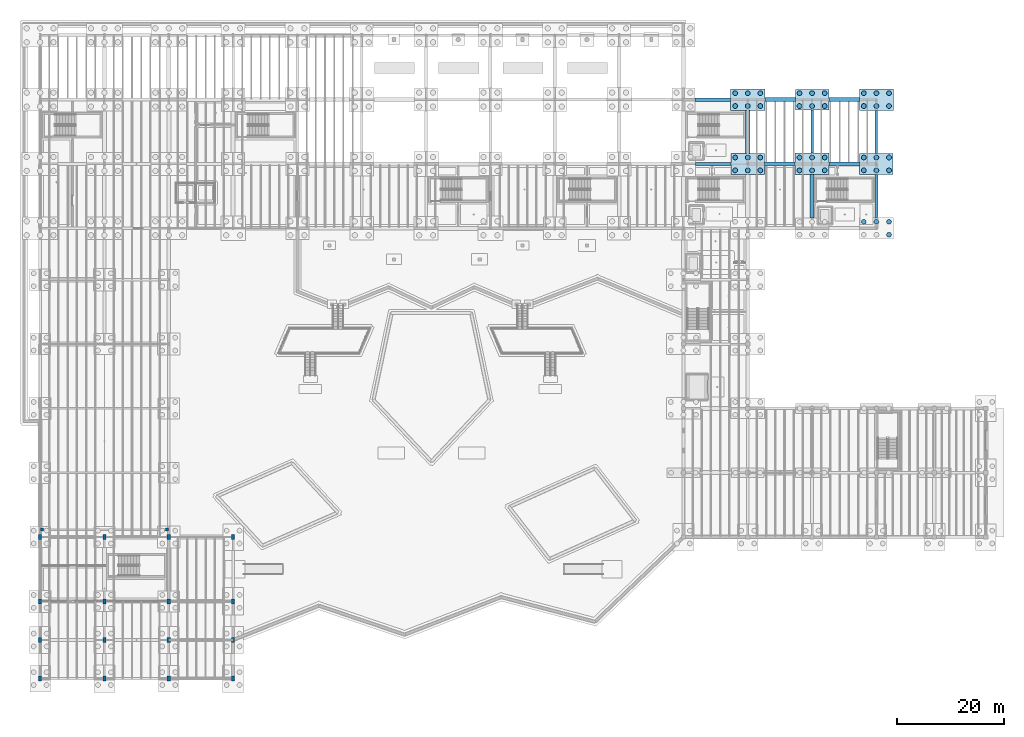
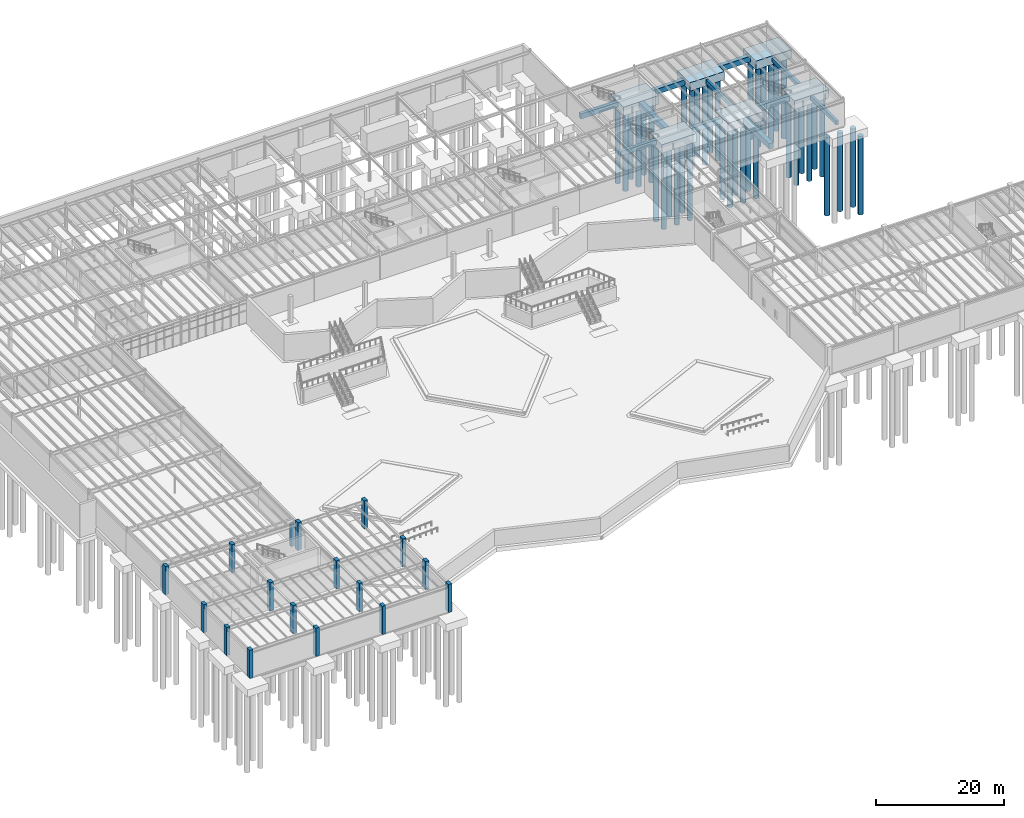
# One storey, part 9 of 67: 40 piles, 18 columns, 17 footings.
"""IFC4 building model written with IfcOpenShell, lengths in metres."""

from ifc_helpers import new_model, si_unit, direction, frame, origin, origin_2d, place, context, subcontext, project, spatial, polyline, rectangle, circle, outline, extrude, material, material_profile, profile_set, type_object, element, save


model = new_model("IFC4")

# Units and contexts
model_context = context("Model", 3, precision=1e-05, world=origin(), true_north=direction((0.0, 1.0)))
body_context = subcontext(model_context, "Body", "Model", "MODEL_VIEW")
ifc_project = project(units=[si_unit("LENGTHUNIT", "METRE"), si_unit("AREAUNIT", "SQUARE_METRE"), si_unit("VOLUMEUNIT", "CUBIC_METRE"), si_unit("PLANEANGLEUNIT", "RADIAN"), si_unit("MASSUNIT", "GRAM", prefix="KILO")], contexts=[model_context])

# Site, building, storey
site_placement = place(None, origin())
site = spatial("IfcSite", under=ifc_project, at=site_placement, CompositionType="ELEMENT")
building_placement = place(site_placement, origin())
building = spatial("IfcBuilding", under=site, at=building_placement, Name="Zlatogorsky Bluff Art Gallery", CompositionType="ELEMENT")
storey_placement = place(building_placement, frame((0.0, 0.0, -5.39990234375)))
storey = spatial("IfcBuildingStorey", under=building, at=storey_placement, Name="B1", CompositionType="ELEMENT", Elevation=-5.39990234375)

# Piles
ifc_material = material(Name="Concrete C35/45", Category="concrete")
ifc_material_profile_1 = material_profile(ifc_material, circle(Radius=0.449951171875, at=origin_2d()), Name="BORED PILE D900")
ifc_profile_set_1 = profile_set([ifc_material_profile_1], Name="Concrete C35/45")
pile_type = type_object("IfcPileType", Name="Bored Pile D900 C35/45", PredefinedType="BORED", material=ifc_profile_set_1)
for number, where, z_axis, x_axis, name in (
    (1, (129.64990234375, 94.800048828125, -1.900146484375), (0.0, 0.0, -1.0), (1.0, 0.0, 0.0), "Bored pile PL-01 11.09.1"),
    (2, (132.0, 94.800048828125, -1.900146484375), (0.0, 0.0, -1.0), (1.0, 0.0, 0.0), "Bored pile PL-01 11.09.2"),
    (3, (134.35009765625, 94.800048828125, -1.900146484375), (0.0, 0.0, -1.0), (1.0, 0.0, 0.0), "Bored pile PL-01 11.09.3"),
    (4, (129.64990234375, 97.199951171875, -1.900146484375), (0.0, 0.0, -1.0), (1.0, 0.0, 0.0), "Bored pile PL-01 11.09.4"),
    (5, (132.0, 97.199951171875, -1.900146484375), (0.0, 0.0, -1.0), (1.0, 0.0, 0.0), "Bored pile PL-01 11.09.5"),
    (6, (134.35009765625, 97.199951171875, -1.900146484375), (0.0, 0.0, -1.0), (1.0, 0.0, 0.0), "Bored pile PL-01 11.09.6"),
):
    element("IfcPile", number, at=place(storey_placement, frame(where, z_axis=z_axis, x_axis=x_axis)), inside=storey, type_object=pile_type, Name=name, PredefinedType="BORED", context=body_context, shape_type="SweptSolid", body=[
        extrude(circle(Radius=0.449951171875, at=origin_2d()), origin(), (0.0, 0.0, 1.0), 15.10009765625),
    ])
for number, where, z_axis, x_axis, name in (
    (7, (129.64990234375, 106.800048828125, -1.9501953125), (0.0, 0.0, -1.0), (1.0, 0.0, 0.0), "Bored pile PL-01 11.10.1"),
    (8, (132.0, 106.800048828125, -1.9501953125), (0.0, 0.0, -1.0), (1.0, 0.0, 0.0), "Bored pile PL-01 11.10.2"),
    (9, (134.35009765625, 106.800048828125, -1.9501953125), (0.0, 0.0, -1.0), (1.0, 0.0, 0.0), "Bored pile PL-01 11.10.3"),
    (10, (129.64990234375, 109.199951171875, -1.9501953125), (0.0, 0.0, -1.0), (1.0, 0.0, 0.0), "Bored pile PL-01 11.10.4"),
    (11, (132.0, 109.199951171875, -1.9501953125), (0.0, 0.0, -1.0), (1.0, 0.0, 0.0), "Bored pile PL-01 11.10.5"),
    (12, (134.35009765625, 109.199951171875, -1.9501953125), (0.0, 0.0, -1.0), (1.0, 0.0, 0.0), "Bored pile PL-01 11.10.6"),
    (13, (141.64990234375, 94.800048828125, -1.9501953125), (0.0, 0.0, -1.0), (1.0, 0.0, 0.0), "Bored pile PL-01 12.09.1"),
    (14, (144.0, 94.800048828125, -1.9501953125), (0.0, 0.0, -1.0), (1.0, 0.0, 0.0), "Bored pile PL-01 12.09.2"),
    (15, (146.35009765625, 94.800048828125, -1.9501953125), (0.0, 0.0, -1.0), (1.0, 0.0, 0.0), "Bored pile PL-01 12.09.3"),
    (16, (141.64990234375, 97.199951171875, -1.9501953125), (0.0, 0.0, -1.0), (1.0, 0.0, 0.0), "Bored pile PL-01 12.09.4"),
    (17, (144.0, 97.199951171875, -1.9501953125), (0.0, 0.0, -1.0), (1.0, 0.0, 0.0), "Bored pile PL-01 12.09.5"),
    (18, (146.35009765625, 97.199951171875, -1.9501953125), (0.0, 0.0, -1.0), (1.0, 0.0, 0.0), "Bored pile PL-01 12.09.6"),
):
    element("IfcPile", number, at=place(storey_placement, frame(where, z_axis=z_axis, x_axis=x_axis)), inside=storey, type_object=pile_type, Name=name, PredefinedType="BORED", context=body_context, shape_type="SweptSolid", body=[
        extrude(circle(Radius=0.449951171875, at=origin_2d()), origin(), (0.0, 0.0, 1.0), 15.050048828125),
    ])
for number, where, z_axis, x_axis, name in (
    (19, (141.64990234375, 106.800048828125, -1.5), (0.0, 0.0, -1.0), (1.0, 0.0, 0.0), "Bored pile PL-01 12.10.1"),
    (20, (144.0, 106.800048828125, -1.5), (0.0, 0.0, -1.0), (1.0, 0.0, 0.0), "Bored pile PL-01 12.10.2"),
    (21, (146.35009765625, 106.800048828125, -1.5), (0.0, 0.0, -1.0), (1.0, 0.0, 0.0), "Bored pile PL-01 12.10.3"),
    (22, (141.64990234375, 109.199951171875, -1.5), (0.0, 0.0, -1.0), (1.0, 0.0, 0.0), "Bored pile PL-01 12.10.4"),
    (23, (144.0, 109.199951171875, -1.5), (0.0, 0.0, -1.0), (1.0, 0.0, 0.0), "Bored pile PL-01 12.10.5"),
    (24, (146.35009765625, 109.199951171875, -1.5), (0.0, 0.0, -1.0), (1.0, 0.0, 0.0), "Bored pile PL-01 12.10.6"),
):
    element("IfcPile", number, at=place(storey_placement, frame(where, z_axis=z_axis, x_axis=x_axis)), inside=storey, type_object=pile_type, Name=name, PredefinedType="BORED", context=body_context, shape_type="SweptSolid", body=[
        extrude(circle(Radius=0.449951171875, at=origin_2d()), origin(), (0.0, 0.0, 1.0), 15.5),
    ])
for number, where, z_axis, x_axis, name in (
    (25, (158.35009765625, 82.800048828125, -1.9501953125), (0.0, 0.0, -1.0), (1.0, 0.0, 0.0), "Bored pile PL-01 13.08.3"),
    (26, (153.64990234375, 85.199951171875, -1.9501953125), (0.0, 0.0, -1.0), (1.0, 0.0, 0.0), "Bored pile PL-01 13.08.4"),
    (27, (156.0, 85.199951171875, -1.9501953125), (0.0, 0.0, -1.0), (1.0, 0.0, 0.0), "Bored pile PL-01 13.08.5"),
    (28, (158.35009765625, 85.199951171875, -1.9501953125), (0.0, 0.0, -1.0), (1.0, 0.0, 0.0), "Bored pile PL-01 13.08.6"),
):
    element("IfcPile", number, at=place(storey_placement, frame(where, z_axis=z_axis, x_axis=x_axis)), inside=storey, type_object=pile_type, Name=name, PredefinedType="BORED", context=body_context, shape_type="SweptSolid", body=[
        extrude(circle(Radius=0.449951171875, at=origin_2d()), origin(), (0.0, 0.0, 1.0), 15.050048828125),
    ])
for number, where, z_axis, x_axis, name in (
    (29, (153.64990234375, 94.800048828125, -1.900146484375), (0.0, 0.0, -1.0), (1.0, 0.0, 0.0), "Bored pile PL-01 13.09.1"),
    (30, (156.0, 94.800048828125, -1.900146484375), (0.0, 0.0, -1.0), (1.0, 0.0, 0.0), "Bored pile PL-01 13.09.2"),
    (31, (158.35009765625, 94.800048828125, -1.900146484375), (0.0, 0.0, -1.0), (1.0, 0.0, 0.0), "Bored pile PL-01 13.09.3"),
    (32, (153.64990234375, 97.199951171875, -1.900146484375), (0.0, 0.0, -1.0), (1.0, 0.0, 0.0), "Bored pile PL-01 13.09.4"),
    (33, (156.0, 97.199951171875, -1.900146484375), (0.0, 0.0, -1.0), (1.0, 0.0, 0.0), "Bored pile PL-01 13.09.5"),
    (34, (158.35009765625, 97.199951171875, -1.900146484375), (0.0, 0.0, -1.0), (1.0, 0.0, 0.0), "Bored pile PL-01 13.09.6"),
):
    element("IfcPile", number, at=place(storey_placement, frame(where, z_axis=z_axis, x_axis=x_axis)), inside=storey, type_object=pile_type, Name=name, PredefinedType="BORED", context=body_context, shape_type="SweptSolid", body=[
        extrude(circle(Radius=0.449951171875, at=origin_2d()), origin(), (0.0, 0.0, 1.0), 15.10009765625),
    ])
for number, where, z_axis, x_axis, name in (
    (35, (153.64990234375, 106.800048828125, -1.550048828125), (0.0, 0.0, -1.0), (1.0, 0.0, 0.0), "Bored pile PL-01 13.10.1"),
    (36, (156.0, 106.800048828125, -1.550048828125), (0.0, 0.0, -1.0), (1.0, 0.0, 0.0), "Bored pile PL-01 13.10.2"),
    (37, (158.35009765625, 106.800048828125, -1.550048828125), (0.0, 0.0, -1.0), (1.0, 0.0, 0.0), "Bored pile PL-01 13.10.3"),
    (38, (153.64990234375, 109.199951171875, -1.550048828125), (0.0, 0.0, -1.0), (1.0, 0.0, 0.0), "Bored pile PL-01 13.10.4"),
    (39, (156.0, 109.199951171875, -1.550048828125), (0.0, 0.0, -1.0), (1.0, 0.0, 0.0), "Bored pile PL-01 13.10.5"),
    (40, (158.35009765625, 109.199951171875, -1.550048828125), (0.0, 0.0, -1.0), (1.0, 0.0, 0.0), "Bored pile PL-01 13.10.6"),
):
    element("IfcPile", number, at=place(storey_placement, frame(where, z_axis=z_axis, x_axis=x_axis)), inside=storey, type_object=pile_type, Name=name, PredefinedType="BORED", context=body_context, shape_type="SweptSolid", body=[
        extrude(circle(Radius=0.449951171875, at=origin_2d()), origin(), (0.0, 0.0, 1.0), 15.449951171875),
    ])

# Footings
footing_type_1 = type_object("IfcFootingType", Name="Foundation FB-01 450x750", PredefinedType="FOOTING_BEAM", material=ifc_material)
footing_1_placement = place(storey_placement, frame((0.0, 0.0, -1.150146484375)))
element("IfcFooting", 41, at=footing_1_placement, inside=storey, type_object=footing_type_1, Name="Ground tie beam FB-01 N/10-11", PredefinedType="FOOTING_BEAM", context=body_context, shape_type="SweptSolid", body=[
    extrude(outline(polyline([(143.77490234375, 98.0), (144.22509765625, 98.0), (144.22509765625, 106.074951171875), (143.77490234375, 106.074951171875), (143.77490234375, 98.0)])), origin(), (0.0, 0.0, 1.0), 0.75),
])
footing_2_placement = place(storey_placement, frame((0.0, 0.0, -1.150146484375)))
element("IfcFooting", 42, at=footing_2_placement, inside=storey, type_object=footing_type_1, Name="Ground tie beam FB-01 P/9-10", PredefinedType="FOOTING_BEAM", context=body_context, shape_type="SweptSolid", body=[
    extrude(outline(polyline([(155.77490234375, 86.0), (156.22509765625, 86.0), (156.22509765625, 94.074951171875), (155.77490234375, 94.074951171875), (155.77490234375, 86.0)])), origin(), (0.0, 0.0, 1.0), 0.75),
])
footing_type_2 = type_object("IfcFootingType", Name="Foundation FB-02 500x800", PredefinedType="FOOTING_BEAM", material=ifc_material)
footing_3_placement = place(storey_placement, frame((0.0, 0.0, -1.2001953125)))
element("IfcFooting", 43, at=footing_3_placement, inside=storey, type_object=footing_type_2, Name="Ground tie beam FB-02 P/10-11", PredefinedType="FOOTING_BEAM", context=body_context, shape_type="SweptSolid", body=[
    extrude(outline(polyline([(155.75, 97.925048828125), (156.25, 97.925048828125), (156.25, 106.0), (155.75, 106.0), (155.75, 97.925048828125)])), origin(), (0.0, 0.0, 1.0), 0.800048828125),
])
footing_type_3 = type_object("IfcFootingType", Name="Foundation FB-04 600x900", PredefinedType="FOOTING_BEAM", material=ifc_material)
footing_4_placement = place(storey_placement, frame((0.0, 0.0, -1.300048828125)))
element("IfcFooting", 44, at=footing_4_placement, inside=storey, type_object=footing_type_3, Name="Ground tie beam FB-04 L-M/10", PredefinedType="FOOTING_BEAM", context=body_context, shape_type="SweptSolid", body=[
    extrude(outline(polyline([(122.300048828125, 95.699951171875), (128.875, 95.699951171875), (128.875, 96.300048828125), (122.300048828125, 96.300048828125), (122.300048828125, 95.699951171875)])), origin(), (0.0, 0.0, 1.0), 0.89990234375),
])
footing_type_4 = type_object("IfcFootingType", Name="Foundation FB-05 650x950", PredefinedType="FOOTING_BEAM", material=ifc_material)
footing_5_placement = place(storey_placement, frame((0.0, 0.0, -1.35009765625)))
element("IfcFooting", 45, at=footing_5_placement, inside=storey, type_object=footing_type_4, Name="Ground tie beam FB-05 L-M/11", PredefinedType="FOOTING_BEAM", context=body_context, shape_type="SweptSolid", body=[
    extrude(outline(polyline([(122.125, 107.675048828125), (128.800048828125, 107.675048828125), (128.800048828125, 108.324951171875), (122.125, 108.324951171875), (122.125, 107.675048828125)])), origin(), (0.0, 0.0, 1.0), 0.949951171875),
])
footing_6_placement = place(storey_placement, frame((0.0, 0.0, -1.35009765625)))
element("IfcFooting", 46, at=footing_6_placement, inside=storey, type_object=footing_type_4, Name="Ground tie beam FB-05 M-N/10", PredefinedType="FOOTING_BEAM", context=body_context, shape_type="SweptSolid", body=[
    extrude(outline(polyline([(135.125, 95.675048828125), (140.800048828125, 95.675048828125), (140.800048828125, 96.324951171875), (135.125, 96.324951171875), (135.125, 95.675048828125)])), origin(), (0.0, 0.0, 1.0), 0.949951171875),
])
footing_type_5 = type_object("IfcFootingType", Name="Foundation FB-06 700x1000", PredefinedType="FOOTING_BEAM", material=ifc_material)
footing_7_placement = place(storey_placement, frame((0.0, 0.0, -1.400146484375)))
element("IfcFooting", 47, at=footing_7_placement, inside=storey, type_object=footing_type_5, Name="Ground tie beam FB-06 M-N/11", PredefinedType="FOOTING_BEAM", context=body_context, shape_type="SweptSolid", body=[
    extrude(outline(polyline([(135.199951171875, 107.64990234375), (140.875, 107.64990234375), (140.875, 108.35009765625), (135.199951171875, 108.35009765625), (135.199951171875, 107.64990234375)])), origin(), (0.0, 0.0, 1.0), 1.0),
])
footing_8_placement = place(storey_placement, frame((0.0, 0.0, -1.400146484375)))
element("IfcFooting", 48, at=footing_8_placement, inside=storey, type_object=footing_type_5, Name="Ground tie beam FB-06 N-P/10", PredefinedType="FOOTING_BEAM", context=body_context, shape_type="SweptSolid", body=[
    extrude(outline(polyline([(147.199951171875, 95.64990234375), (152.875, 95.64990234375), (152.875, 96.35009765625), (147.199951171875, 96.35009765625), (147.199951171875, 95.64990234375)])), origin(), (0.0, 0.0, 1.0), 1.0),
])
footing_type_6 = type_object("IfcFootingType", Name="Foundation FB-07 750x1050", PredefinedType="FOOTING_BEAM", material=ifc_material)
footing_9_placement = place(storey_placement, frame((0.0, 0.0, -1.050048828125)))
element("IfcFooting", 49, at=footing_9_placement, inside=storey, type_object=footing_type_6, Name="Ground tie beam FB-07 N-P/11", PredefinedType="FOOTING_BEAM", context=body_context, shape_type="SweptSolid", body=[
    extrude(outline(polyline([(147.125, 107.625), (152.800048828125, 107.625), (152.800048828125, 108.375), (147.125, 108.375), (147.125, 107.625)])), origin(), (0.0, 0.0, 1.0), 1.050048828125),
])
footing_type_7 = type_object("IfcFootingType", Name="Foundation FB-08 800x1100", PredefinedType="FOOTING_BEAM", material=ifc_material)
footing_10_placement = place(storey_placement, frame((0.0, 0.0, -1.5)))
element("IfcFooting", 50, at=footing_10_placement, inside=storey, type_object=footing_type_7, Name="Ground tie beam FB-08 M/10-11", PredefinedType="FOOTING_BEAM", context=body_context, shape_type="SweptSolid", body=[
    extrude(outline(polyline([(131.60009765625, 97.925048828125), (132.39990234375, 97.925048828125), (132.39990234375, 106.0), (131.60009765625, 106.0), (131.60009765625, 97.925048828125)])), origin(), (0.0, 0.0, 1.0), 1.099853515625),
])
footing_11_placement = place(storey_placement, frame((0.0, 0.0, -1.5)))
element("IfcFooting", 51, at=footing_11_placement, inside=storey, type_object=footing_type_7, Name="Ground tie beam FB-08 N/9-10", PredefinedType="FOOTING_BEAM", context=body_context, shape_type="SweptSolid", body=[
    extrude(outline(polyline([(143.60009765625, 85.925048828125), (144.39990234375, 85.925048828125), (144.39990234375, 94.0), (143.60009765625, 94.0), (143.60009765625, 85.925048828125)])), origin(), (0.0, 0.0, 1.0), 1.099853515625),
])
footing_type_8 = type_object("IfcFootingType", Name="Pile Cap PC-14 6250x3850x1600", PredefinedType="PILE_CAP", material=ifc_material)
for number, where, z_axis, x_axis, name in (
    (52, (132.0, 96.0, -2.000244140625), (0.0, 0.0, 1.0), (1.0, 0.0, 0.0), "Pile cap PC-14 at M10"),
    (53, (144.0, 108.0, -1.60009765625), (0.0, 0.0, 1.0), (1.0, 0.0, 0.0), "Pile cap PC-14 at N11"),
    (54, (156.0, 96.0, -2.000244140625), (0.0, 0.0, 1.0), (1.0, 0.0, 0.0), "Pile cap PC-14 at P10"),
):
    element("IfcFooting", number, at=place(storey_placement, frame(where, z_axis=z_axis, x_axis=x_axis)), inside=storey, type_object=footing_type_8, Name=name, PredefinedType="PILE_CAP", context=body_context, shape_type="SweptSolid", body=[
        extrude(rectangle(XDim=6.25, YDim=3.85009765625, at=origin_2d()), origin(), (0.0, 0.0, 1.0), 1.60009765625),
    ])
footing_type_9 = type_object("IfcFootingType", Name="Pile Cap PC-15 6400x4000x1650", PredefinedType="PILE_CAP", material=ifc_material)
for number, where, z_axis, x_axis, name in (
    (55, (132.0, 108.0, -2.050048828125), (0.0, 0.0, 1.0), (1.0, 0.0, 0.0), "Pile cap PC-15 at M11"),
    (56, (144.0, 96.0, -2.050048828125), (0.0, 0.0, 1.0), (1.0, 0.0, 0.0), "Pile cap PC-15 at N10"),
    (57, (156.0, 108.0, -1.650146484375), (0.0, 0.0, 1.0), (1.0, 0.0, 0.0), "Pile cap PC-15 at P11"),
):
    element("IfcFooting", number, at=place(storey_placement, frame(where, z_axis=z_axis, x_axis=x_axis)), inside=storey, type_object=footing_type_9, Name=name, PredefinedType="PILE_CAP", context=body_context, shape_type="SweptSolid", body=[
        extrude(rectangle(XDim=6.39990234375, YDim=4.0, at=origin_2d()), origin(), (0.0, 0.0, 1.0), 1.64990234375),
    ])

# Columns
ifc_material_profile_2 = material_profile(ifc_material, rectangle(XDim=0.60009765625, YDim=0.60009765625, at=origin_2d()), Name="RC 600x600")
ifc_profile_set_2 = profile_set([ifc_material_profile_2], Name="Concrete C35/45")
column_type_1 = type_object("IfcColumnType", Name="Column CL-15 RC 600x600", PredefinedType="COLUMN", material=ifc_profile_set_2)
for number, where, z_axis, x_axis, name in (
    (58, (0.35009765625, 27.800048828125, 0.0), (0.0, 0.0, 1.0), (1.0, 0.0, 0.0), "Auditorium stage raker pier W"),
    (59, (23.64990234375, 27.800048828125, 0.0), (0.0, 0.0, 1.0), (1.0, 0.0, 0.0), "Auditorium stage raker pier E"),
):
    element("IfcColumn", number, at=place(storey_placement, frame(where, z_axis=z_axis, x_axis=x_axis)), inside=storey, type_object=column_type_1, Name=name, PredefinedType="COLUMN", context=body_context, shape_type="SweptSolid", body=[
        extrude(rectangle(XDim=0.60009765625, YDim=0.60009765625, at=origin_2d()), origin(), (0.0, 0.0, 1.0), 4.219970703125),
    ])
ifc_material_profile_3 = material_profile(ifc_material, rectangle(XDim=0.60009765625, YDim=0.89990234375, at=origin_2d()), Name="RC 600x900")
ifc_profile_set_3 = profile_set([ifc_material_profile_3], Name="Concrete C35/45")
column_type_2 = type_object("IfcColumnType", Name="Column CL-17 RC 600x900", PredefinedType="COLUMN", material=ifc_profile_set_3)
for number, where, z_axis, x_axis, name in (
    (60, (0.0, 0.0, 0.0), (0.0, 0.0, 1.0), (1.0, 0.0, 0.0), "Column CL-17 B1 A1"),
    (61, (0.0, 7.199951171875, 0.0), (0.0, 0.0, 1.0), (1.0, 0.0, 0.0), "Column CL-17 B1 A2"),
    (62, (0.0, 14.39990234375, 0.0), (0.0, 0.0, 1.0), (1.0, 0.0, 0.0), "Column CL-17 B1 A3"),
    (63, (0.0, 26.39990234375, 0.0), (0.0, 0.0, 1.0), (1.0, 0.0, 0.0), "Column CL-17 B1 A4"),
    (64, (12.0, 0.0, 0.0), (0.0, 0.0, 1.0), (1.0, 0.0, 0.0), "Column CL-17 B1 B1"),
    (65, (12.0, 7.199951171875, 0.0), (0.0, 0.0, 1.0), (1.0, 0.0, 0.0), "Column CL-17 B1 B2"),
    (66, (12.0, 14.39990234375, 0.0), (0.0, 0.0, 1.0), (1.0, 0.0, 0.0), "Column CL-17 B1 B3"),
    (67, (12.0, 26.39990234375, 0.0), (0.0, 0.0, 1.0), (1.0, 0.0, 0.0), "Column CL-17 B1 B4"),
    (68, (24.0, 0.0, 0.0), (0.0, 0.0, 1.0), (1.0, 0.0, 0.0), "Column CL-17 B1 C1"),
    (69, (24.0, 7.199951171875, 0.0), (0.0, 0.0, 1.0), (1.0, 0.0, 0.0), "Column CL-17 B1 C2"),
    (70, (24.0, 14.39990234375, 0.0), (0.0, 0.0, 1.0), (1.0, 0.0, 0.0), "Column CL-17 B1 C3"),
    (71, (24.0, 26.39990234375, 0.0), (0.0, 0.0, 1.0), (1.0, 0.0, 0.0), "Column CL-17 B1 C4"),
    (72, (36.0, 0.0, 0.0), (0.0, 0.0, 1.0), (1.0, 0.0, 0.0), "Column CL-17 B1 D1"),
    (73, (36.0, 7.199951171875, 0.0), (0.0, 0.0, 1.0), (1.0, 0.0, 0.0), "Column CL-17 B1 D2"),
    (74, (36.0, 14.39990234375, 0.0), (0.0, 0.0, 1.0), (1.0, 0.0, 0.0), "Column CL-17 B1 D3"),
    (75, (36.0, 26.39990234375, 0.0), (0.0, 0.0, 1.0), (1.0, 0.0, 0.0), "Column CL-17 B1 D4"),
):
    element("IfcColumn", number, at=place(storey_placement, frame(where, z_axis=z_axis, x_axis=x_axis)), inside=storey, type_object=column_type_2, Name=name, PredefinedType="COLUMN", context=body_context, shape_type="SweptSolid", body=[
        extrude(rectangle(XDim=0.60009765625, YDim=0.89990234375, at=origin_2d()), origin(), (0.0, 0.0, 1.0), 5.39990234375),
    ])

save(model, "model.ifc")
